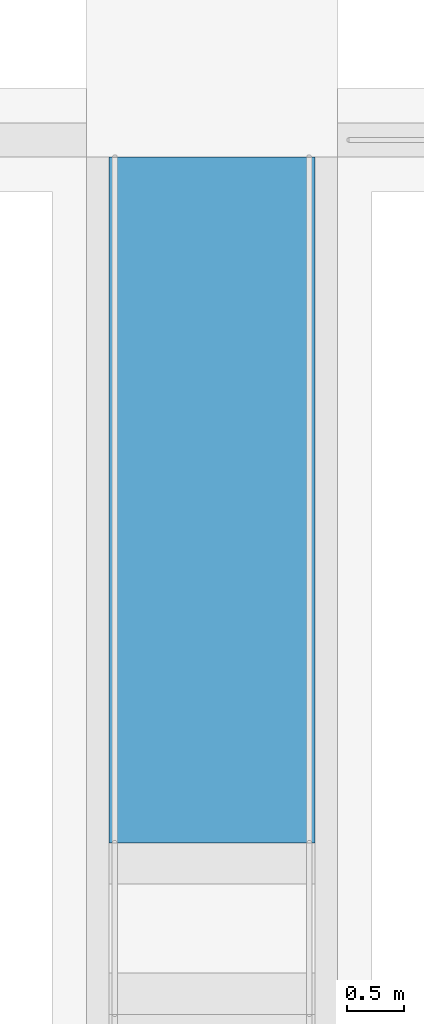
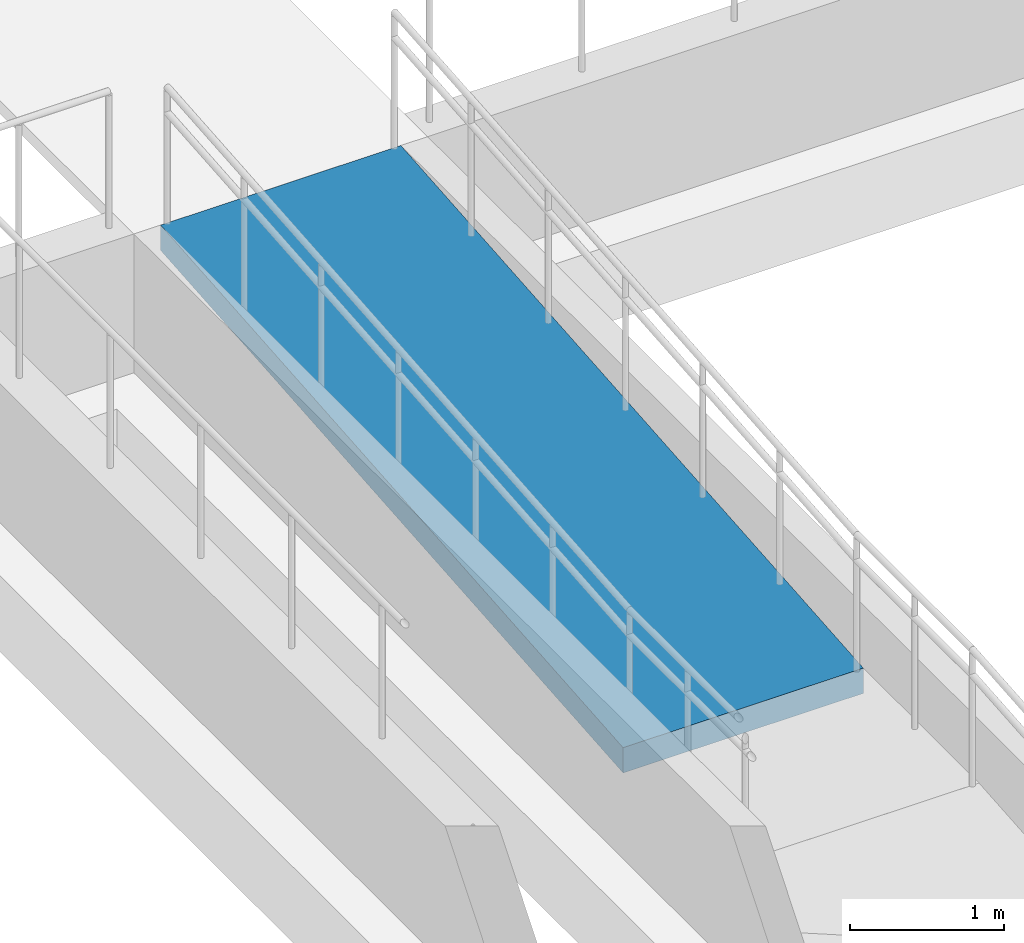
# One storey, part 41 of 60: 1 ramp flight, 1 element without a shape of its own.
"""IFC4 building model written with IfcOpenShell, lengths in metres."""

from ifc_helpers import new_model, si_unit, direction, frame, origin, place, context, subcontext, project, spatial, polyline, outline, extrude, material, layer, layer_set, type_object, element, aggregate, save


model = new_model("IFC4")

# Units and contexts
model_context = context("Model", 3, precision=1e-05, world=origin(), true_north=direction((0.0, 1.0)))
body_context = subcontext(model_context, "Body", "Model", "MODEL_VIEW")
ifc_project = project(units=[si_unit("LENGTHUNIT", "METRE"), si_unit("AREAUNIT", "SQUARE_METRE"), si_unit("VOLUMEUNIT", "CUBIC_METRE"), si_unit("PLANEANGLEUNIT", "RADIAN"), si_unit("MASSUNIT", "GRAM", prefix="KILO")], contexts=[model_context])

# Site, building, storey
site_placement = place(None, origin())
site = spatial("IfcSite", under=ifc_project, at=site_placement, CompositionType="ELEMENT")
building_placement = place(site_placement, origin())
building = spatial("IfcBuilding", under=site, at=building_placement, Name="Stone Belt Terrace Tower", CompositionType="ELEMENT")
storey_placement = place(building_placement, origin())
storey = spatial("IfcBuildingStorey", under=building, at=storey_placement, Name="L00", CompositionType="ELEMENT", Elevation=0.0)

# Ramp, ramp flight
ramp_placement = place(storey_placement, origin())
ramp = element("IfcRamp", 1, at=ramp_placement, inside=storey, Name="Rain garden court accessible ramp", PredefinedType="STRAIGHT_RUN_RAMP")
ifc_material = material(Name="Concrete B30", Category="concrete")
ifc_layer = layer(ifc_material, 0.199951171875)
ifc_layer_set = layer_set([ifc_layer], Name="Garden ramp flight 200")
ramp_flight_type = type_object("IfcRampFlightType", Name="Garden ramp flight 200", PredefinedType="STRAIGHT", material=ifc_layer_set)
ramp_flight_placement = place(storey_placement, frame((-58.5, -5.0, -0.199951171875), z_axis=(-1.0, 0.0, 0.0), x_axis=(0.0, -0.996545758245, -0.083045479854)))
ramp_flight = element("IfcRampFlight", 2, at=ramp_flight_placement, type_object=ramp_flight_type, Name="Rain garden court accessible ramp flight 1", PredefinedType="STRAIGHT", context=body_context, shape_type="SweptSolid", body=[
    extrude(outline(polyline([(0.0, 0.0), (6.020797289396148, 5.551115123125783e-17), (6.0041922483804715, 0.1992604921881242), (-0.016605041015677013, 0.19926049218812414), (0.0, 0.0)])), origin(), (0.0, 0.0, -1.0), 1.800048828125),
])
aggregate(ramp, [ramp_flight])

save(model, "model.ifc")
